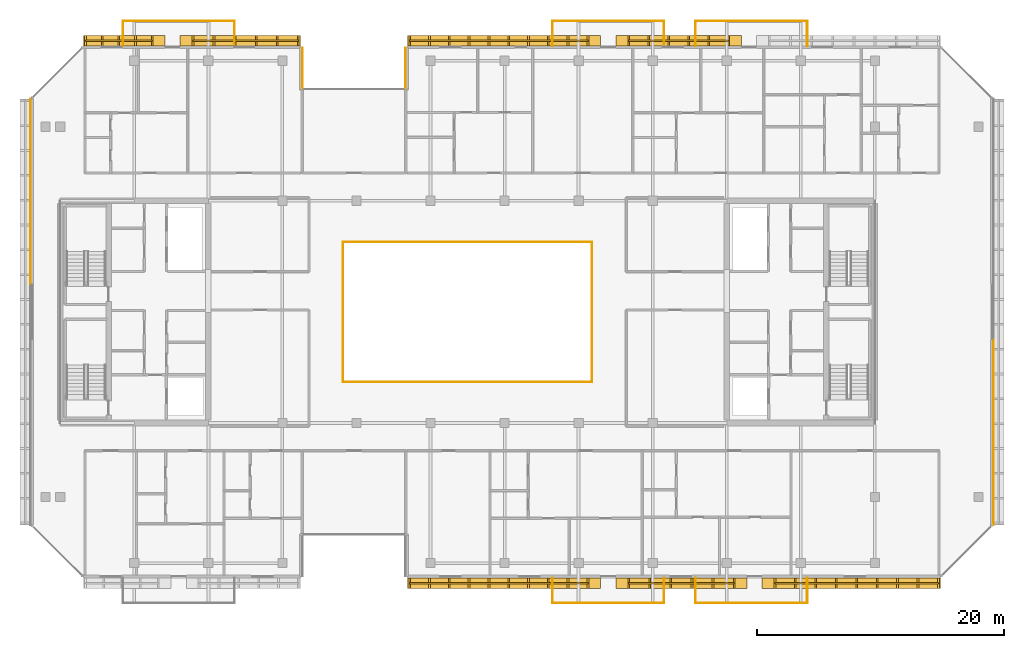
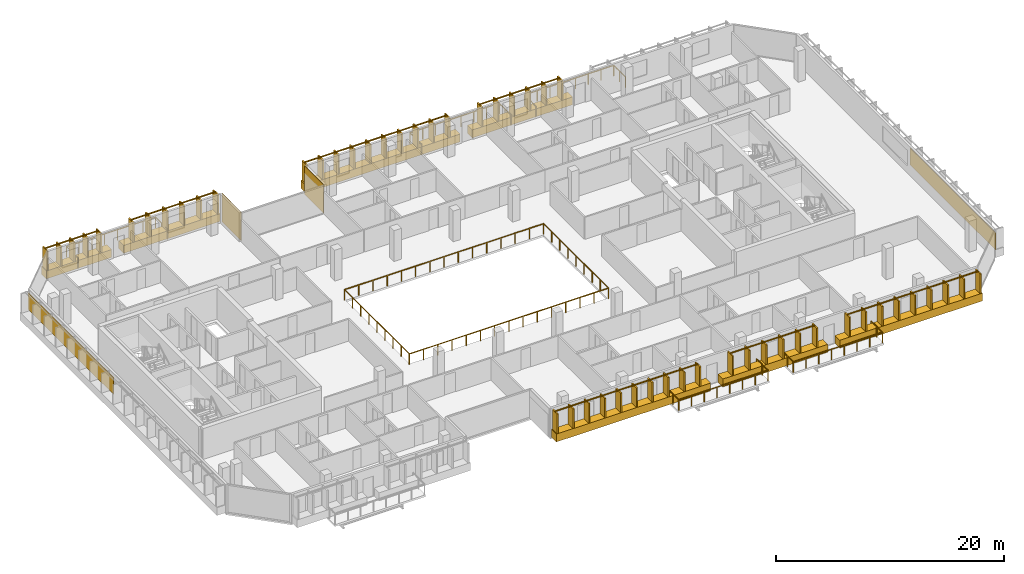
# One storey, part 23 of 25: 14 railings, 11 coverings.
"""IFC4 building model written with IfcOpenShell, lengths in metres."""

from ifc_helpers import new_model, si_unit, direction, frame, origin, origin_2d, place, context, subcontext, project, spatial, rectangle, extrude, material, layer, layer_set, type_object, element, save


model = new_model("IFC4")

# Units and contexts
model_context = context("Model", 3, precision=1e-05, world=origin(), true_north=direction((0.0, 1.0)))
body_context = subcontext(model_context, "Body", "Model", "MODEL_VIEW")
ifc_project = project(units=[si_unit("LENGTHUNIT", "METRE"), si_unit("AREAUNIT", "SQUARE_METRE"), si_unit("VOLUMEUNIT", "CUBIC_METRE"), si_unit("PLANEANGLEUNIT", "RADIAN"), si_unit("MASSUNIT", "GRAM", prefix="KILO")], contexts=[model_context])

# Site, building, storey
site_placement = place(None, origin())
site = spatial("IfcSite", under=ifc_project, at=site_placement, CompositionType="ELEMENT")
building_placement = place(site_placement, origin())
building = spatial("IfcBuilding", under=site, at=building_placement, Name="Tanjung Sevakor Pilgrim Tower", CompositionType="ELEMENT")
storey_placement = place(building_placement, frame((0.0, 0.0, 204.929931640625)))
storey = spatial("IfcBuildingStorey", under=building, at=storey_placement, Name="L57", CompositionType="ELEMENT", Elevation=204.929931640625)

# Coverings
ifc_material_1 = material(Name="Reconstructed Limestone Cladding", Category="masonry")
ifc_layer = layer(ifc_material_1, 0.044921875)
ifc_layer_set = layer_set([ifc_layer], Name="COV-CLAD-LIMESTONE")
covering_type = type_object("IfcCoveringType", Name="COV-CLAD-LIMESTONE", PredefinedType="CLADDING", material=ifc_layer_set)
covering_1_placement = place(storey_placement, frame((59.969970703125, 11.6201171875, 0.01025390625), z_axis=(0.0, 0.0, 1.0), x_axis=(1.0, 0.0, 0.0)))
element("IfcCovering", 1, at=covering_1_placement, inside=storey, type_object=covering_type, Name="L57 Warm Limestone Sill Spandrel EW-L57-MAIN-5-1", PredefinedType="CLADDING", context=body_context, shape_type="SweptSolid", body=[
    extrude(rectangle(XDim=15.639892578125, YDim=0.860107421875, at=origin_2d()), origin(), (0.0, 0.0, 1.0), 0.840087890625),
])
covering_2_placement = place(storey_placement, frame((74.324951171875, 11.6201171875, 0.01025390625), z_axis=(0.0, 0.0, 1.0), x_axis=(1.0, 0.0, 0.0)))
element("IfcCovering", 2, at=covering_2_placement, inside=storey, type_object=covering_type, Name="L57 Warm Limestone Sill Spandrel EW-L57-MAIN-5-2", PredefinedType="CLADDING", context=body_context, shape_type="SweptSolid", body=[
    extrude(rectangle(XDim=10.6298828125, YDim=0.860107421875, at=origin_2d()), origin(), (0.0, 0.0, 1.0), 0.840087890625),
])
covering_3_placement = place(storey_placement, frame((88.087158203125, 11.6201171875, 0.01025390625), z_axis=(0.0, 0.0, 1.0), x_axis=(1.0, 0.0, 0.0)))
element("IfcCovering", 3, at=covering_3_placement, inside=storey, type_object=covering_type, Name="L57 Warm Limestone Sill Spandrel EW-L57-MAIN-5-3", PredefinedType="CLADDING", context=body_context, shape_type="SweptSolid", body=[
    extrude(rectangle(XDim=14.454345703125, YDim=0.860107421875, at=origin_2d()), origin(), (0.0, 0.0, 1.0), 0.840087890625),
])
covering_4_placement = place(storey_placement, frame((99.62255859375, 23.8427734375, 0.85009765625), z_axis=(0.0, 0.0, 1.0), x_axis=(0.0, 1.0, 0.0)))
element("IfcCovering", 4, at=covering_4_placement, inside=storey, type_object=covering_type, Name="L57 Warm Limestone Pier Panel EW-L57-MAIN-7-1", PredefinedType="CLADDING", context=body_context, shape_type="SweptSolid", body=[
    extrude(rectangle(XDim=15.014404296875, YDim=0.044921875, at=origin_2d()), origin(), (0.0, 0.0, 1.0), 1.81005859375),
])
covering_5_placement = place(storey_placement, frame((74.10009765625, 55.580078125, 0.01025390625), z_axis=(0.0, 0.0, 1.0), x_axis=(-1.0, 0.0, 0.0)))
element("IfcCovering", 5, at=covering_5_placement, inside=storey, type_object=covering_type, Name="L57 Warm Limestone Sill Spandrel EW-L57-MAIN-9-2", PredefinedType="CLADDING", context=body_context, shape_type="SweptSolid", body=[
    extrude(rectangle(XDim=10.179931640625, YDim=0.860107421875, at=origin_2d()), origin(), (0.0, 0.0, 1.0), 0.840087890625),
])
covering_6_placement = place(storey_placement, frame((59.969970703125, 55.580078125, 0.01025390625), z_axis=(0.0, 0.0, 1.0), x_axis=(-1.0, 0.0, 0.0)))
element("IfcCovering", 6, at=covering_6_placement, inside=storey, type_object=covering_type, Name="L57 Warm Limestone Sill Spandrel EW-L57-MAIN-9-3", PredefinedType="CLADDING", context=body_context, shape_type="SweptSolid", body=[
    extrude(rectangle(XDim=15.639892578125, YDim=0.860107421875, at=origin_2d()), origin(), (0.0, 0.0, 1.0), 0.840087890625),
])
for number, where, z_axis, x_axis, name in (
    (7, (51.9775390625, 53.340087890625, 0.02001953125), (0.0, 0.0, 1.0), (0.0, -1.0, 0.0), "L57 Warm Limestone Wall Cladding EW-L57-MAIN-10"),
    (8, (43.62255859375, 53.340087890625, 0.02001953125), (0.0, 0.0, 1.0), (0.0, 1.0, 0.0), "L57 Warm Limestone Wall Cladding EW-L57-MAIN-12"),
):
    element("IfcCovering", number, at=place(storey_placement, frame(where, z_axis=z_axis, x_axis=x_axis)), inside=storey, type_object=covering_type, Name=name, PredefinedType="CLADDING", context=body_context, shape_type="SweptSolid", body=[
        extrude(rectangle(XDim=3.360107421875, YDim=0.044921875, at=origin_2d()), origin(), (0.0, 0.0, 1.0), 3.0400390625),
    ])
covering_7_placement = place(storey_placement, frame((38.580078125, 55.580078125, 0.01025390625), z_axis=(0.0, 0.0, 1.0), x_axis=(-1.0, 0.0, 0.0)))
element("IfcCovering", 9, at=covering_7_placement, inside=storey, type_object=covering_type, Name="L57 Warm Limestone Sill Spandrel EW-L57-MAIN-13-1", PredefinedType="CLADDING", context=body_context, shape_type="SweptSolid", body=[
    extrude(rectangle(XDim=9.739990234375, YDim=0.860107421875, at=origin_2d()), origin(), (0.0, 0.0, 1.0), 0.840087890625),
])
covering_8_placement = place(storey_placement, frame((29.187744140625, 55.580078125, 0.01025390625), z_axis=(0.0, 0.0, 1.0), x_axis=(-1.0, 0.0, 0.0)))
element("IfcCovering", 10, at=covering_8_placement, inside=storey, type_object=covering_type, Name="L57 Warm Limestone Sill Spandrel EW-L57-MAIN-13-2", PredefinedType="CLADDING", context=body_context, shape_type="SweptSolid", body=[
    extrude(rectangle(XDim=6.6044921875, YDim=0.860107421875, at=origin_2d()), origin(), (0.0, 0.0, 1.0), 0.840087890625),
])
covering_9_placement = place(storey_placement, frame((21.577392578125, 43.357177734375, 0.85009765625), z_axis=(0.0, 0.0, 1.0), x_axis=(0.0, -1.0, 0.0)))
element("IfcCovering", 11, at=covering_9_placement, inside=storey, type_object=covering_type, Name="L57 Warm Limestone Pier Panel EW-L57-MAIN-15-1", PredefinedType="CLADDING", context=body_context, shape_type="SweptSolid", body=[
    extrude(rectangle(XDim=15.014404296875, YDim=0.044921875, at=origin_2d()), origin(), (0.0, 0.0, 1.0), 1.81005859375),
])

# Railings
ifc_material_2 = material(Name="Laminated Glass and Aluminium", Category="aluminium")
railing_type_1 = type_object("IfcRailingType", Name="RL-BAL-BALUST", PredefinedType="BALUSTRADE", material=ifc_material_2)
railing_1_placement = place(storey_placement, frame((46.919921875, 27.919921875, 0.0)))
element("IfcRailing", 12, at=railing_1_placement, inside=storey, type_object=railing_type_1, Name="L57 Void Opening Balustrade 1A", PredefinedType="BALUSTRADE", context=body_context, shape_type="SweptSolid", body=[
    extrude(rectangle(XDim=0.0479, YDim=0.0479), frame((0.0, 0.0, 1.1259765625), z_axis=(1.0, 0.0, 0.0), x_axis=(0.0, 1.0, 0.0)), (0.0, 0.0, 1.0), 20.16015625),
    extrude(rectangle(XDim=0.0479, YDim=0.0479), frame((20.16015625, 0.0, 1.1259765625), z_axis=(0.0, 1.0, 0.0), x_axis=(-1.0, 0.0, 0.0)), (0.0, 0.0, 1.0), 11.360107421875),
    extrude(rectangle(XDim=0.042, YDim=0.042), origin(), (0.0, 0.0, 1.0), 1.101806640625),
    extrude(rectangle(XDim=0.042, YDim=0.042), frame((1.43994140625, 0.0, 0.0)), (0.0, 0.0, 1.0), 1.101806640625),
    extrude(rectangle(XDim=0.042, YDim=0.042), frame((2.880126953125, 0.0, 0.0)), (0.0, 0.0, 1.0), 1.101806640625),
    extrude(rectangle(XDim=0.042, YDim=0.042), frame((4.320068359375, 0.0, 0.0)), (0.0, 0.0, 1.0), 1.101806640625),
    extrude(rectangle(XDim=0.042, YDim=0.042), frame((5.760009765625, 0.0, 0.0)), (0.0, 0.0, 1.0), 1.101806640625),
    extrude(rectangle(XDim=0.042, YDim=0.042), frame((7.199951171875, 0.0, 0.0)), (0.0, 0.0, 1.0), 1.101806640625),
    extrude(rectangle(XDim=0.042, YDim=0.042), frame((8.64013671875, 0.0, 0.0)), (0.0, 0.0, 1.0), 1.101806640625),
    extrude(rectangle(XDim=0.042, YDim=0.042), frame((10.080078125, 0.0, 0.0)), (0.0, 0.0, 1.0), 1.101806640625),
    extrude(rectangle(XDim=0.042, YDim=0.042), frame((11.52001953125, 0.0, 0.0)), (0.0, 0.0, 1.0), 1.101806640625),
    extrude(rectangle(XDim=0.042, YDim=0.042), frame((12.960205078125, 0.0, 0.0)), (0.0, 0.0, 1.0), 1.101806640625),
    extrude(rectangle(XDim=0.042, YDim=0.042), frame((14.400146484375, 0.0, 0.0)), (0.0, 0.0, 1.0), 1.101806640625),
    extrude(rectangle(XDim=0.042, YDim=0.042), frame((15.840087890625, 0.0, 0.0)), (0.0, 0.0, 1.0), 1.101806640625),
    extrude(rectangle(XDim=0.042, YDim=0.042), frame((17.280029296875, 0.0, 0.0)), (0.0, 0.0, 1.0), 1.101806640625),
    extrude(rectangle(XDim=0.042, YDim=0.042), frame((18.72021484375, 0.0, 0.0)), (0.0, 0.0, 1.0), 1.101806640625),
    extrude(rectangle(XDim=0.042, YDim=0.042), frame((20.16015625, 0.0, 0.0)), (0.0, 0.0, 1.0), 1.101806640625),
    extrude(rectangle(XDim=0.042, YDim=0.042), frame((20.16015625, 1.419921875, 0.0)), (0.0, 0.0, 1.0), 1.101806640625),
    extrude(rectangle(XDim=0.042, YDim=0.042), frame((20.16015625, 2.840087890625, 0.0)), (0.0, 0.0, 1.0), 1.101806640625),
    extrude(rectangle(XDim=0.042, YDim=0.042), frame((20.16015625, 4.260009765625, 0.0)), (0.0, 0.0, 1.0), 1.101806640625),
    extrude(rectangle(XDim=0.042, YDim=0.042), frame((20.16015625, 5.68017578125, 0.0)), (0.0, 0.0, 1.0), 1.101806640625),
    extrude(rectangle(XDim=0.042, YDim=0.042), frame((20.16015625, 7.10009765625, 0.0)), (0.0, 0.0, 1.0), 1.101806640625),
    extrude(rectangle(XDim=0.042, YDim=0.042), frame((20.16015625, 8.52001953125, 0.0)), (0.0, 0.0, 1.0), 1.101806640625),
    extrude(rectangle(XDim=0.042, YDim=0.042), frame((20.16015625, 9.940185546875, 0.0)), (0.0, 0.0, 1.0), 1.101806640625),
    extrude(rectangle(XDim=0.042, YDim=0.042), frame((20.16015625, 11.360107421875, 0.0)), (0.0, 0.0, 1.0), 1.101806640625),
])
railing_2_placement = place(storey_placement, frame((67.080078125, 39.280029296875, 0.0)))
element("IfcRailing", 13, at=railing_2_placement, inside=storey, type_object=railing_type_1, Name="L57 Void Opening Balustrade 1B", PredefinedType="BALUSTRADE", context=body_context, shape_type="SweptSolid", body=[
    extrude(rectangle(XDim=0.0479, YDim=0.0479), frame((0.0, 0.0, 1.1259765625), z_axis=(-1.0, 0.0, 0.0), x_axis=(0.0, -1.0, 0.0)), (0.0, 0.0, 1.0), 20.16015625),
    extrude(rectangle(XDim=0.0479, YDim=0.0479), frame((-20.16015625, 0.0, 1.1259765625), z_axis=(0.0, -1.0, 0.0), x_axis=(1.0, 0.0, 0.0)), (0.0, 0.0, 1.0), 11.360107421875),
    extrude(rectangle(XDim=0.042, YDim=0.042), origin(), (0.0, 0.0, 1.0), 1.101806640625),
    extrude(rectangle(XDim=0.042, YDim=0.042), frame((-1.43994140625, 0.0, 0.0)), (0.0, 0.0, 1.0), 1.101806640625),
    extrude(rectangle(XDim=0.042, YDim=0.042), frame((-2.880126953125, 0.0, 0.0)), (0.0, 0.0, 1.0), 1.101806640625),
    extrude(rectangle(XDim=0.042, YDim=0.042), frame((-4.320068359375, 0.0, 0.0)), (0.0, 0.0, 1.0), 1.101806640625),
    extrude(rectangle(XDim=0.042, YDim=0.042), frame((-5.760009765625, 0.0, 0.0)), (0.0, 0.0, 1.0), 1.101806640625),
    extrude(rectangle(XDim=0.042, YDim=0.042), frame((-7.199951171875, 0.0, 0.0)), (0.0, 0.0, 1.0), 1.101806640625),
    extrude(rectangle(XDim=0.042, YDim=0.042), frame((-8.64013671875, 0.0, 0.0)), (0.0, 0.0, 1.0), 1.101806640625),
    extrude(rectangle(XDim=0.042, YDim=0.042), frame((-10.080078125, 0.0, 0.0)), (0.0, 0.0, 1.0), 1.101806640625),
    extrude(rectangle(XDim=0.042, YDim=0.042), frame((-11.52001953125, 0.0, 0.0)), (0.0, 0.0, 1.0), 1.101806640625),
    extrude(rectangle(XDim=0.042, YDim=0.042), frame((-12.960205078125, 0.0, 0.0)), (0.0, 0.0, 1.0), 1.101806640625),
    extrude(rectangle(XDim=0.042, YDim=0.042), frame((-14.400146484375, 0.0, 0.0)), (0.0, 0.0, 1.0), 1.101806640625),
    extrude(rectangle(XDim=0.042, YDim=0.042), frame((-15.840087890625, 0.0, 0.0)), (0.0, 0.0, 1.0), 1.101806640625),
    extrude(rectangle(XDim=0.042, YDim=0.042), frame((-17.280029296875, 0.0, 0.0)), (0.0, 0.0, 1.0), 1.101806640625),
    extrude(rectangle(XDim=0.042, YDim=0.042), frame((-18.72021484375, 0.0, 0.0)), (0.0, 0.0, 1.0), 1.101806640625),
    extrude(rectangle(XDim=0.042, YDim=0.042), frame((-20.16015625, 0.0, 0.0)), (0.0, 0.0, 1.0), 1.101806640625),
    extrude(rectangle(XDim=0.042, YDim=0.042), frame((-20.16015625, -1.419921875, 0.0)), (0.0, 0.0, 1.0), 1.101806640625),
    extrude(rectangle(XDim=0.042, YDim=0.042), frame((-20.16015625, -2.840087890625, 0.0)), (0.0, 0.0, 1.0), 1.101806640625),
    extrude(rectangle(XDim=0.042, YDim=0.042), frame((-20.16015625, -4.260009765625, 0.0)), (0.0, 0.0, 1.0), 1.101806640625),
    extrude(rectangle(XDim=0.042, YDim=0.042), frame((-20.16015625, -5.68017578125, 0.0)), (0.0, 0.0, 1.0), 1.101806640625),
    extrude(rectangle(XDim=0.042, YDim=0.042), frame((-20.16015625, -7.10009765625, 0.0)), (0.0, 0.0, 1.0), 1.101806640625),
    extrude(rectangle(XDim=0.042, YDim=0.042), frame((-20.16015625, -8.52001953125, 0.0)), (0.0, 0.0, 1.0), 1.101806640625),
    extrude(rectangle(XDim=0.042, YDim=0.042), frame((-20.16015625, -9.940185546875, 0.0)), (0.0, 0.0, 1.0), 1.101806640625),
    extrude(rectangle(XDim=0.042, YDim=0.042), frame((-20.16015625, -11.360107421875, 0.0)), (0.0, 0.0, 1.0), 1.101806640625),
])
railing_3_placement = place(storey_placement, frame((29.080078125, 55.14990234375, 0.0)))
element("IfcRailing", 14, at=railing_3_placement, inside=storey, type_object=railing_type_1, Name="L57 Loggia Balustrade MAIN-N1", PredefinedType="BALUSTRADE", context=body_context, shape_type="SweptSolid", body=[
    extrude(rectangle(XDim=0.0479, YDim=0.0479), frame((0.0, 0.0, 1.1259765625), z_axis=(0.0, 1.0, 0.0), x_axis=(-1.0, 0.0, 0.0)), (0.0, 0.0, 1.0), 2.02001953125),
    extrude(rectangle(XDim=0.0479, YDim=0.0479), frame((0.0, 2.02001953125, 1.1259765625), z_axis=(1.0, 0.0, 0.0), x_axis=(0.0, 1.0, 0.0)), (0.0, 0.0, 1.0), 9.0400390625),
    extrude(rectangle(XDim=0.0479, YDim=0.0479), frame((9.0400390625, 2.02001953125, 1.1259765625), z_axis=(0.0, -1.0, 0.0), x_axis=(1.0, 0.0, 0.0)), (0.0, 0.0, 1.0), 2.02001953125),
    extrude(rectangle(XDim=0.042, YDim=0.042), origin(), (0.0, 0.0, 1.0), 1.101806640625),
    extrude(rectangle(XDim=0.042, YDim=0.042), frame((0.0, 1.010009765625, 0.0)), (0.0, 0.0, 1.0), 1.101806640625),
    extrude(rectangle(XDim=0.042, YDim=0.042), frame((0.0, 2.02001953125, 0.0)), (0.0, 0.0, 1.0), 1.101806640625),
    extrude(rectangle(XDim=0.042, YDim=0.042), frame((1.29150390625, 2.02001953125, 0.0)), (0.0, 0.0, 1.0), 1.101806640625),
    extrude(rectangle(XDim=0.042, YDim=0.042), frame((2.582763671875, 2.02001953125, 0.0)), (0.0, 0.0, 1.0), 1.101806640625),
    extrude(rectangle(XDim=0.042, YDim=0.042), frame((3.874267578125, 2.02001953125, 0.0)), (0.0, 0.0, 1.0), 1.101806640625),
    extrude(rectangle(XDim=0.042, YDim=0.042), frame((5.165771484375, 2.02001953125, 0.0)), (0.0, 0.0, 1.0), 1.101806640625),
    extrude(rectangle(XDim=0.042, YDim=0.042), frame((6.457275390625, 2.02001953125, 0.0)), (0.0, 0.0, 1.0), 1.101806640625),
    extrude(rectangle(XDim=0.042, YDim=0.042), frame((7.74853515625, 2.02001953125, 0.0)), (0.0, 0.0, 1.0), 1.101806640625),
    extrude(rectangle(XDim=0.042, YDim=0.042), frame((9.0400390625, 2.02001953125, 0.0)), (0.0, 0.0, 1.0), 1.101806640625),
    extrude(rectangle(XDim=0.042, YDim=0.042), frame((9.0400390625, 1.010009765625, 0.0)), (0.0, 0.0, 1.0), 1.101806640625),
    extrude(rectangle(XDim=0.042, YDim=0.042), frame((9.0400390625, 0.0, 0.0)), (0.0, 0.0, 1.0), 1.101806640625),
])
railing_4_placement = place(storey_placement, frame((63.8798828125, 12.050048828125, 0.0)))
element("IfcRailing", 15, at=railing_4_placement, inside=storey, type_object=railing_type_1, Name="L57 Loggia Balustrade MAIN-S2", PredefinedType="BALUSTRADE", context=body_context, shape_type="SweptSolid", body=[
    extrude(rectangle(XDim=0.0479, YDim=0.0479), frame((0.0, 0.0, 1.1259765625), z_axis=(0.0, -1.0, 0.0), x_axis=(1.0, 0.0, 0.0)), (0.0, 0.0, 1.0), 2.02001953125),
    extrude(rectangle(XDim=0.0479, YDim=0.0479), frame((0.0, -2.02001953125, 1.1259765625), z_axis=(1.0, 0.0, 0.0), x_axis=(0.0, 1.0, 0.0)), (0.0, 0.0, 1.0), 9.0400390625),
    extrude(rectangle(XDim=0.0479, YDim=0.0479), frame((9.0400390625, -2.02001953125, 1.1259765625), z_axis=(0.0, 1.0, 0.0), x_axis=(-1.0, 0.0, 0.0)), (0.0, 0.0, 1.0), 2.02001953125),
    extrude(rectangle(XDim=0.042, YDim=0.042), origin(), (0.0, 0.0, 1.0), 1.101806640625),
    extrude(rectangle(XDim=0.042, YDim=0.042), frame((0.0, -1.010009765625, 0.0)), (0.0, 0.0, 1.0), 1.101806640625),
    extrude(rectangle(XDim=0.042, YDim=0.042), frame((0.0, -2.02001953125, 0.0)), (0.0, 0.0, 1.0), 1.101806640625),
    extrude(rectangle(XDim=0.042, YDim=0.042), frame((1.29150390625, -2.02001953125, 0.0)), (0.0, 0.0, 1.0), 1.101806640625),
    extrude(rectangle(XDim=0.042, YDim=0.042), frame((2.582763671875, -2.02001953125, 0.0)), (0.0, 0.0, 1.0), 1.101806640625),
    extrude(rectangle(XDim=0.042, YDim=0.042), frame((3.874267578125, -2.02001953125, 0.0)), (0.0, 0.0, 1.0), 1.101806640625),
    extrude(rectangle(XDim=0.042, YDim=0.042), frame((5.165771484375, -2.02001953125, 0.0)), (0.0, 0.0, 1.0), 1.101806640625),
    extrude(rectangle(XDim=0.042, YDim=0.042), frame((6.457275390625, -2.02001953125, 0.0)), (0.0, 0.0, 1.0), 1.101806640625),
    extrude(rectangle(XDim=0.042, YDim=0.042), frame((7.74853515625, -2.02001953125, 0.0)), (0.0, 0.0, 1.0), 1.101806640625),
    extrude(rectangle(XDim=0.042, YDim=0.042), frame((9.0400390625, -2.02001953125, 0.0)), (0.0, 0.0, 1.0), 1.101806640625),
    extrude(rectangle(XDim=0.042, YDim=0.042), frame((9.0400390625, -1.010009765625, 0.0)), (0.0, 0.0, 1.0), 1.101806640625),
    extrude(rectangle(XDim=0.042, YDim=0.042), frame((9.0400390625, 0.0, 0.0)), (0.0, 0.0, 1.0), 1.101806640625),
])
railing_5_placement = place(storey_placement, frame((63.8798828125, 55.14990234375, 0.0)))
element("IfcRailing", 16, at=railing_5_placement, inside=storey, type_object=railing_type_1, Name="L57 Loggia Balustrade MAIN-N2", PredefinedType="BALUSTRADE", context=body_context, shape_type="SweptSolid", body=[
    extrude(rectangle(XDim=0.0479, YDim=0.0479), frame((0.0, 0.0, 1.1259765625), z_axis=(0.0, 1.0, 0.0), x_axis=(-1.0, 0.0, 0.0)), (0.0, 0.0, 1.0), 2.02001953125),
    extrude(rectangle(XDim=0.0479, YDim=0.0479), frame((0.0, 2.02001953125, 1.1259765625), z_axis=(1.0, 0.0, 0.0), x_axis=(0.0, 1.0, 0.0)), (0.0, 0.0, 1.0), 9.0400390625),
    extrude(rectangle(XDim=0.0479, YDim=0.0479), frame((9.0400390625, 2.02001953125, 1.1259765625), z_axis=(0.0, -1.0, 0.0), x_axis=(1.0, 0.0, 0.0)), (0.0, 0.0, 1.0), 2.02001953125),
    extrude(rectangle(XDim=0.042, YDim=0.042), origin(), (0.0, 0.0, 1.0), 1.101806640625),
    extrude(rectangle(XDim=0.042, YDim=0.042), frame((0.0, 1.010009765625, 0.0)), (0.0, 0.0, 1.0), 1.101806640625),
    extrude(rectangle(XDim=0.042, YDim=0.042), frame((0.0, 2.02001953125, 0.0)), (0.0, 0.0, 1.0), 1.101806640625),
    extrude(rectangle(XDim=0.042, YDim=0.042), frame((1.29150390625, 2.02001953125, 0.0)), (0.0, 0.0, 1.0), 1.101806640625),
    extrude(rectangle(XDim=0.042, YDim=0.042), frame((2.582763671875, 2.02001953125, 0.0)), (0.0, 0.0, 1.0), 1.101806640625),
    extrude(rectangle(XDim=0.042, YDim=0.042), frame((3.874267578125, 2.02001953125, 0.0)), (0.0, 0.0, 1.0), 1.101806640625),
    extrude(rectangle(XDim=0.042, YDim=0.042), frame((5.165771484375, 2.02001953125, 0.0)), (0.0, 0.0, 1.0), 1.101806640625),
    extrude(rectangle(XDim=0.042, YDim=0.042), frame((6.457275390625, 2.02001953125, 0.0)), (0.0, 0.0, 1.0), 1.101806640625),
    extrude(rectangle(XDim=0.042, YDim=0.042), frame((7.74853515625, 2.02001953125, 0.0)), (0.0, 0.0, 1.0), 1.101806640625),
    extrude(rectangle(XDim=0.042, YDim=0.042), frame((9.0400390625, 2.02001953125, 0.0)), (0.0, 0.0, 1.0), 1.101806640625),
    extrude(rectangle(XDim=0.042, YDim=0.042), frame((9.0400390625, 1.010009765625, 0.0)), (0.0, 0.0, 1.0), 1.101806640625),
    extrude(rectangle(XDim=0.042, YDim=0.042), frame((9.0400390625, 0.0, 0.0)), (0.0, 0.0, 1.0), 1.101806640625),
])
railing_6_placement = place(storey_placement, frame((75.47998046875, 12.050048828125, 0.0)))
element("IfcRailing", 17, at=railing_6_placement, inside=storey, type_object=railing_type_1, Name="L57 Loggia Balustrade MAIN-S3", PredefinedType="BALUSTRADE", context=body_context, shape_type="SweptSolid", body=[
    extrude(rectangle(XDim=0.0479, YDim=0.0479), frame((0.0, 0.0, 1.1259765625), z_axis=(0.0, -1.0, 0.0), x_axis=(1.0, 0.0, 0.0)), (0.0, 0.0, 1.0), 2.02001953125),
    extrude(rectangle(XDim=0.0479, YDim=0.0479), frame((0.0, -2.02001953125, 1.1259765625), z_axis=(1.0, 0.0, 0.0), x_axis=(0.0, 1.0, 0.0)), (0.0, 0.0, 1.0), 9.0400390625),
    extrude(rectangle(XDim=0.0479, YDim=0.0479), frame((9.0400390625, -2.02001953125, 1.1259765625), z_axis=(0.0, 1.0, 0.0), x_axis=(-1.0, 0.0, 0.0)), (0.0, 0.0, 1.0), 2.02001953125),
    extrude(rectangle(XDim=0.042, YDim=0.042), origin(), (0.0, 0.0, 1.0), 1.101806640625),
    extrude(rectangle(XDim=0.042, YDim=0.042), frame((0.0, -1.010009765625, 0.0)), (0.0, 0.0, 1.0), 1.101806640625),
    extrude(rectangle(XDim=0.042, YDim=0.042), frame((0.0, -2.02001953125, 0.0)), (0.0, 0.0, 1.0), 1.101806640625),
    extrude(rectangle(XDim=0.042, YDim=0.042), frame((1.29150390625, -2.02001953125, 0.0)), (0.0, 0.0, 1.0), 1.101806640625),
    extrude(rectangle(XDim=0.042, YDim=0.042), frame((2.582763671875, -2.02001953125, 0.0)), (0.0, 0.0, 1.0), 1.101806640625),
    extrude(rectangle(XDim=0.042, YDim=0.042), frame((3.874267578125, -2.02001953125, 0.0)), (0.0, 0.0, 1.0), 1.101806640625),
    extrude(rectangle(XDim=0.042, YDim=0.042), frame((5.165771484375, -2.02001953125, 0.0)), (0.0, 0.0, 1.0), 1.101806640625),
    extrude(rectangle(XDim=0.042, YDim=0.042), frame((6.457275390625, -2.02001953125, 0.0)), (0.0, 0.0, 1.0), 1.101806640625),
    extrude(rectangle(XDim=0.042, YDim=0.042), frame((7.74853515625, -2.02001953125, 0.0)), (0.0, 0.0, 1.0), 1.101806640625),
    extrude(rectangle(XDim=0.042, YDim=0.042), frame((9.0400390625, -2.02001953125, 0.0)), (0.0, 0.0, 1.0), 1.101806640625),
    extrude(rectangle(XDim=0.042, YDim=0.042), frame((9.0400390625, -1.010009765625, 0.0)), (0.0, 0.0, 1.0), 1.101806640625),
    extrude(rectangle(XDim=0.042, YDim=0.042), frame((9.0400390625, 0.0, 0.0)), (0.0, 0.0, 1.0), 1.101806640625),
])
railing_7_placement = place(storey_placement, frame((75.47998046875, 55.14990234375, 0.0)))
element("IfcRailing", 18, at=railing_7_placement, inside=storey, type_object=railing_type_1, Name="L57 Loggia Balustrade MAIN-N3", PredefinedType="BALUSTRADE", context=body_context, shape_type="SweptSolid", body=[
    extrude(rectangle(XDim=0.0479, YDim=0.0479), frame((0.0, 0.0, 1.1259765625), z_axis=(0.0, 1.0, 0.0), x_axis=(-1.0, 0.0, 0.0)), (0.0, 0.0, 1.0), 2.02001953125),
    extrude(rectangle(XDim=0.0479, YDim=0.0479), frame((0.0, 2.02001953125, 1.1259765625), z_axis=(1.0, 0.0, 0.0), x_axis=(0.0, 1.0, 0.0)), (0.0, 0.0, 1.0), 9.0400390625),
    extrude(rectangle(XDim=0.0479, YDim=0.0479), frame((9.0400390625, 2.02001953125, 1.1259765625), z_axis=(0.0, -1.0, 0.0), x_axis=(1.0, 0.0, 0.0)), (0.0, 0.0, 1.0), 2.02001953125),
    extrude(rectangle(XDim=0.042, YDim=0.042), origin(), (0.0, 0.0, 1.0), 1.101806640625),
    extrude(rectangle(XDim=0.042, YDim=0.042), frame((0.0, 1.010009765625, 0.0)), (0.0, 0.0, 1.0), 1.101806640625),
    extrude(rectangle(XDim=0.042, YDim=0.042), frame((0.0, 2.02001953125, 0.0)), (0.0, 0.0, 1.0), 1.101806640625),
    extrude(rectangle(XDim=0.042, YDim=0.042), frame((1.29150390625, 2.02001953125, 0.0)), (0.0, 0.0, 1.0), 1.101806640625),
    extrude(rectangle(XDim=0.042, YDim=0.042), frame((2.582763671875, 2.02001953125, 0.0)), (0.0, 0.0, 1.0), 1.101806640625),
    extrude(rectangle(XDim=0.042, YDim=0.042), frame((3.874267578125, 2.02001953125, 0.0)), (0.0, 0.0, 1.0), 1.101806640625),
    extrude(rectangle(XDim=0.042, YDim=0.042), frame((5.165771484375, 2.02001953125, 0.0)), (0.0, 0.0, 1.0), 1.101806640625),
    extrude(rectangle(XDim=0.042, YDim=0.042), frame((6.457275390625, 2.02001953125, 0.0)), (0.0, 0.0, 1.0), 1.101806640625),
    extrude(rectangle(XDim=0.042, YDim=0.042), frame((7.74853515625, 2.02001953125, 0.0)), (0.0, 0.0, 1.0), 1.101806640625),
    extrude(rectangle(XDim=0.042, YDim=0.042), frame((9.0400390625, 2.02001953125, 0.0)), (0.0, 0.0, 1.0), 1.101806640625),
    extrude(rectangle(XDim=0.042, YDim=0.042), frame((9.0400390625, 1.010009765625, 0.0)), (0.0, 0.0, 1.0), 1.101806640625),
    extrude(rectangle(XDim=0.042, YDim=0.042), frame((9.0400390625, 0.0, 0.0)), (0.0, 0.0, 1.0), 1.101806640625),
])
ifc_material_3 = material(Name="Anodised Bronze Aluminium 6063-T6", Category="aluminium")
railing_type_2 = type_object("IfcRailingType", Name="RL-FIN-SCREEN", PredefinedType="BALUSTRADE", material=ifc_material_3)
railing_8_placement = place(storey_placement, frame((52.31005859375, 11.625, 0.840087890625)))
element("IfcRailing", 19, at=railing_8_placement, inside=storey, type_object=railing_type_2, Name="L57 Vertical Bronze-Gold Solar Fin Screen FNSCR-EW-L57-MAIN-5-1", PredefinedType="BALUSTRADE", context=body_context, shape_type="SweptSolid", body=[
    extrude(rectangle(XDim=0.105, YDim=0.105), frame((0.0, 0.0, 2.157470703125), z_axis=(1.0, 0.0, 0.0), x_axis=(0.0, 1.0, 0.0)), (0.0, 0.0, 1.0), 14.43994140625),
    extrude(rectangle(XDim=0.14, YDim=0.85), origin(), (0.0, 0.0, 1.0), 2.10498046875),
    extrude(rectangle(XDim=0.14, YDim=0.85), frame((1.6044921875, 0.0, 0.0)), (0.0, 0.0, 1.0), 2.10498046875),
    extrude(rectangle(XDim=0.14, YDim=0.85), frame((3.208984375, 0.0, 0.0)), (0.0, 0.0, 1.0), 2.10498046875),
    extrude(rectangle(XDim=0.14, YDim=0.85), frame((4.813232421875, 0.0, 0.0)), (0.0, 0.0, 1.0), 2.10498046875),
    extrude(rectangle(XDim=0.14, YDim=0.85), frame((6.417724609375, 0.0, 0.0)), (0.0, 0.0, 1.0), 2.10498046875),
    extrude(rectangle(XDim=0.14, YDim=0.85), frame((8.022216796875, 0.0, 0.0)), (0.0, 0.0, 1.0), 2.10498046875),
    extrude(rectangle(XDim=0.14, YDim=0.85), frame((9.626708984375, 0.0, 0.0)), (0.0, 0.0, 1.0), 2.10498046875),
    extrude(rectangle(XDim=0.14, YDim=0.85), frame((11.23095703125, 0.0, 0.0)), (0.0, 0.0, 1.0), 2.10498046875),
    extrude(rectangle(XDim=0.14, YDim=0.85), frame((12.83544921875, 0.0, 0.0)), (0.0, 0.0, 1.0), 2.10498046875),
    extrude(rectangle(XDim=0.14, YDim=0.85), frame((14.43994140625, 0.0, 0.0)), (0.0, 0.0, 1.0), 2.10498046875),
])
railing_9_placement = place(storey_placement, frame((70.050048828125, 11.625, 0.840087890625)))
element("IfcRailing", 20, at=railing_9_placement, inside=storey, type_object=railing_type_2, Name="L57 Vertical Bronze-Gold Solar Fin Screen FNSCR-EW-L57-MAIN-5-2", PredefinedType="BALUSTRADE", context=body_context, shape_type="SweptSolid", body=[
    extrude(rectangle(XDim=0.105, YDim=0.105), frame((0.0, 0.0, 2.157470703125), z_axis=(1.0, 0.0, 0.0), x_axis=(0.0, 1.0, 0.0)), (0.0, 0.0, 1.0), 8.550048828125),
    extrude(rectangle(XDim=0.14, YDim=0.85), origin(), (0.0, 0.0, 1.0), 2.10498046875),
    extrude(rectangle(XDim=0.14, YDim=0.85), frame((1.7099609375, 0.0, 0.0)), (0.0, 0.0, 1.0), 2.10498046875),
    extrude(rectangle(XDim=0.14, YDim=0.85), frame((3.419921875, 0.0, 0.0)), (0.0, 0.0, 1.0), 2.10498046875),
    extrude(rectangle(XDim=0.14, YDim=0.85), frame((5.130126953125, 0.0, 0.0)), (0.0, 0.0, 1.0), 2.10498046875),
    extrude(rectangle(XDim=0.14, YDim=0.85), frame((6.840087890625, 0.0, 0.0)), (0.0, 0.0, 1.0), 2.10498046875),
    extrude(rectangle(XDim=0.14, YDim=0.85), frame((8.550048828125, 0.0, 0.0)), (0.0, 0.0, 1.0), 2.10498046875),
])
railing_10_placement = place(storey_placement, frame((81.89990234375, 11.625, 0.840087890625)))
element("IfcRailing", 21, at=railing_10_placement, inside=storey, type_object=railing_type_2, Name="L57 Vertical Bronze-Gold Solar Fin Screen FNSCR-EW-L57-MAIN-5-3", PredefinedType="BALUSTRADE", context=body_context, shape_type="SweptSolid", body=[
    extrude(rectangle(XDim=0.105, YDim=0.105), frame((0.0, 0.0, 2.157470703125), z_axis=(1.0, 0.0, 0.0), x_axis=(0.0, 1.0, 0.0)), (0.0, 0.0, 1.0), 13.25439453125),
    extrude(rectangle(XDim=0.14, YDim=0.85), origin(), (0.0, 0.0, 1.0), 2.10498046875),
    extrude(rectangle(XDim=0.14, YDim=0.85), frame((1.65673828125, 0.0, 0.0)), (0.0, 0.0, 1.0), 2.10498046875),
    extrude(rectangle(XDim=0.14, YDim=0.85), frame((3.3134765625, 0.0, 0.0)), (0.0, 0.0, 1.0), 2.10498046875),
    extrude(rectangle(XDim=0.14, YDim=0.85), frame((4.970458984375, 0.0, 0.0)), (0.0, 0.0, 1.0), 2.10498046875),
    extrude(rectangle(XDim=0.14, YDim=0.85), frame((6.627197265625, 0.0, 0.0)), (0.0, 0.0, 1.0), 2.10498046875),
    extrude(rectangle(XDim=0.14, YDim=0.85), frame((8.283935546875, 0.0, 0.0)), (0.0, 0.0, 1.0), 2.10498046875),
    extrude(rectangle(XDim=0.14, YDim=0.85), frame((9.94091796875, 0.0, 0.0)), (0.0, 0.0, 1.0), 2.10498046875),
    extrude(rectangle(XDim=0.14, YDim=0.85), frame((11.59765625, 0.0, 0.0)), (0.0, 0.0, 1.0), 2.10498046875),
    extrude(rectangle(XDim=0.14, YDim=0.85), frame((13.25439453125, 0.0, 0.0)), (0.0, 0.0, 1.0), 2.10498046875),
])
railing_11_placement = place(storey_placement, frame((78.14990234375, 55.574951171875, 0.840087890625)))
element("IfcRailing", 22, at=railing_11_placement, inside=storey, type_object=railing_type_2, Name="L57 Vertical Bronze-Gold Solar Fin Screen FNSCR-EW-L57-MAIN-9-2", PredefinedType="BALUSTRADE", context=body_context, shape_type="SweptSolid", body=[
    extrude(rectangle(XDim=0.105, YDim=0.105), frame((0.0, 0.0, 2.157470703125), z_axis=(-1.0, 0.0, 0.0), x_axis=(0.0, -1.0, 0.0)), (0.0, 0.0, 1.0), 8.099853515625),
    extrude(rectangle(XDim=0.14, YDim=0.85), origin(), (0.0, 0.0, 1.0), 2.10498046875),
    extrude(rectangle(XDim=0.14, YDim=0.85), frame((-1.619873046875, 0.0, 0.0)), (0.0, 0.0, 1.0), 2.10498046875),
    extrude(rectangle(XDim=0.14, YDim=0.85), frame((-3.239990234375, 0.0, 0.0)), (0.0, 0.0, 1.0), 2.10498046875),
    extrude(rectangle(XDim=0.14, YDim=0.85), frame((-4.85986328125, 0.0, 0.0)), (0.0, 0.0, 1.0), 2.10498046875),
    extrude(rectangle(XDim=0.14, YDim=0.85), frame((-6.47998046875, 0.0, 0.0)), (0.0, 0.0, 1.0), 2.10498046875),
    extrude(rectangle(XDim=0.14, YDim=0.85), frame((-8.099853515625, 0.0, 0.0)), (0.0, 0.0, 1.0), 2.10498046875),
])
railing_12_placement = place(storey_placement, frame((66.75, 55.574951171875, 0.840087890625)))
element("IfcRailing", 23, at=railing_12_placement, inside=storey, type_object=railing_type_2, Name="L57 Vertical Bronze-Gold Solar Fin Screen FNSCR-EW-L57-MAIN-9-3", PredefinedType="BALUSTRADE", context=body_context, shape_type="SweptSolid", body=[
    extrude(rectangle(XDim=0.105, YDim=0.105), frame((0.0, 0.0, 2.157470703125), z_axis=(-1.0, 0.0, 0.0), x_axis=(0.0, -1.0, 0.0)), (0.0, 0.0, 1.0), 14.43994140625),
    extrude(rectangle(XDim=0.14, YDim=0.85), origin(), (0.0, 0.0, 1.0), 2.10498046875),
    extrude(rectangle(XDim=0.14, YDim=0.85), frame((-1.6044921875, 0.0, 0.0)), (0.0, 0.0, 1.0), 2.10498046875),
    extrude(rectangle(XDim=0.14, YDim=0.85), frame((-3.208984375, 0.0, 0.0)), (0.0, 0.0, 1.0), 2.10498046875),
    extrude(rectangle(XDim=0.14, YDim=0.85), frame((-4.813232421875, 0.0, 0.0)), (0.0, 0.0, 1.0), 2.10498046875),
    extrude(rectangle(XDim=0.14, YDim=0.85), frame((-6.417724609375, 0.0, 0.0)), (0.0, 0.0, 1.0), 2.10498046875),
    extrude(rectangle(XDim=0.14, YDim=0.85), frame((-8.022216796875, 0.0, 0.0)), (0.0, 0.0, 1.0), 2.10498046875),
    extrude(rectangle(XDim=0.14, YDim=0.85), frame((-9.626708984375, 0.0, 0.0)), (0.0, 0.0, 1.0), 2.10498046875),
    extrude(rectangle(XDim=0.14, YDim=0.85), frame((-11.23095703125, 0.0, 0.0)), (0.0, 0.0, 1.0), 2.10498046875),
    extrude(rectangle(XDim=0.14, YDim=0.85), frame((-12.83544921875, 0.0, 0.0)), (0.0, 0.0, 1.0), 2.10498046875),
    extrude(rectangle(XDim=0.14, YDim=0.85), frame((-14.43994140625, 0.0, 0.0)), (0.0, 0.0, 1.0), 2.10498046875),
])
railing_13_placement = place(storey_placement, frame((43.2900390625, 55.574951171875, 0.840087890625)))
element("IfcRailing", 24, at=railing_13_placement, inside=storey, type_object=railing_type_2, Name="L57 Vertical Bronze-Gold Solar Fin Screen FNSCR-EW-L57-MAIN-13-1", PredefinedType="BALUSTRADE", context=body_context, shape_type="SweptSolid", body=[
    extrude(rectangle(XDim=0.105, YDim=0.105), frame((0.0, 0.0, 2.157470703125), z_axis=(-1.0, 0.0, 0.0), x_axis=(0.0, -1.0, 0.0)), (0.0, 0.0, 1.0), 8.5400390625),
    extrude(rectangle(XDim=0.14, YDim=0.85), origin(), (0.0, 0.0, 1.0), 2.10498046875),
    extrude(rectangle(XDim=0.14, YDim=0.85), frame((-1.7080078125, 0.0, 0.0)), (0.0, 0.0, 1.0), 2.10498046875),
    extrude(rectangle(XDim=0.14, YDim=0.85), frame((-3.416015625, 0.0, 0.0)), (0.0, 0.0, 1.0), 2.10498046875),
    extrude(rectangle(XDim=0.14, YDim=0.85), frame((-5.1240234375, 0.0, 0.0)), (0.0, 0.0, 1.0), 2.10498046875),
    extrude(rectangle(XDim=0.14, YDim=0.85), frame((-6.83203125, 0.0, 0.0)), (0.0, 0.0, 1.0), 2.10498046875),
    extrude(rectangle(XDim=0.14, YDim=0.85), frame((-8.5400390625, 0.0, 0.0)), (0.0, 0.0, 1.0), 2.10498046875),
])
railing_14_placement = place(storey_placement, frame((31.449951171875, 55.574951171875, 0.840087890625)))
element("IfcRailing", 25, at=railing_14_placement, inside=storey, type_object=railing_type_2, Name="L57 Vertical Bronze-Gold Solar Fin Screen FNSCR-EW-L57-MAIN-13-2", PredefinedType="BALUSTRADE", context=body_context, shape_type="SweptSolid", body=[
    extrude(rectangle(XDim=0.105, YDim=0.105), frame((0.0, 0.0, 2.157470703125), z_axis=(-1.0, 0.0, 0.0), x_axis=(0.0, -1.0, 0.0)), (0.0, 0.0, 1.0), 5.404296875),
    extrude(rectangle(XDim=0.14, YDim=0.85), origin(), (0.0, 0.0, 1.0), 2.10498046875),
    extrude(rectangle(XDim=0.14, YDim=0.85), frame((-1.35107421875, 0.0, 0.0)), (0.0, 0.0, 1.0), 2.10498046875),
    extrude(rectangle(XDim=0.14, YDim=0.85), frame((-2.7021484375, 0.0, 0.0)), (0.0, 0.0, 1.0), 2.10498046875),
    extrude(rectangle(XDim=0.14, YDim=0.85), frame((-4.05322265625, 0.0, 0.0)), (0.0, 0.0, 1.0), 2.10498046875),
    extrude(rectangle(XDim=0.14, YDim=0.85), frame((-5.404296875, 0.0, 0.0)), (0.0, 0.0, 1.0), 2.10498046875),
])

save(model, "model.ifc")
